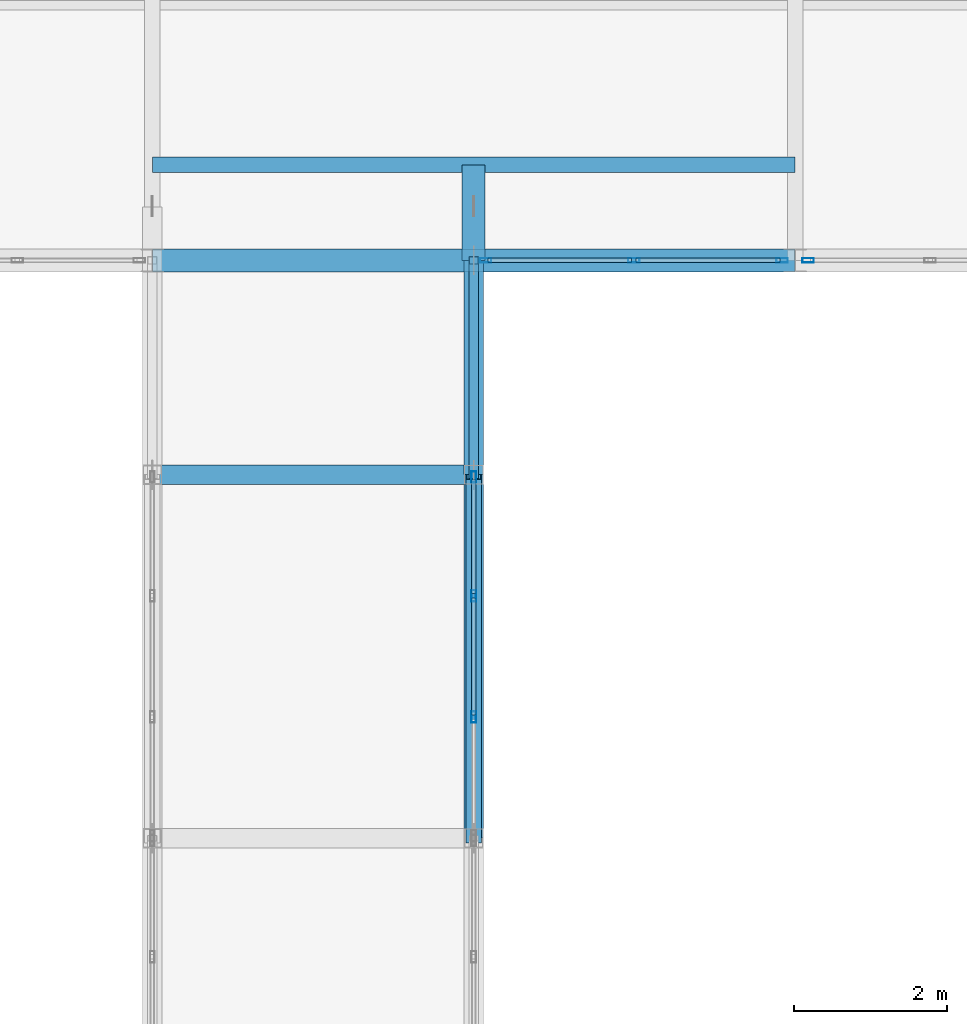
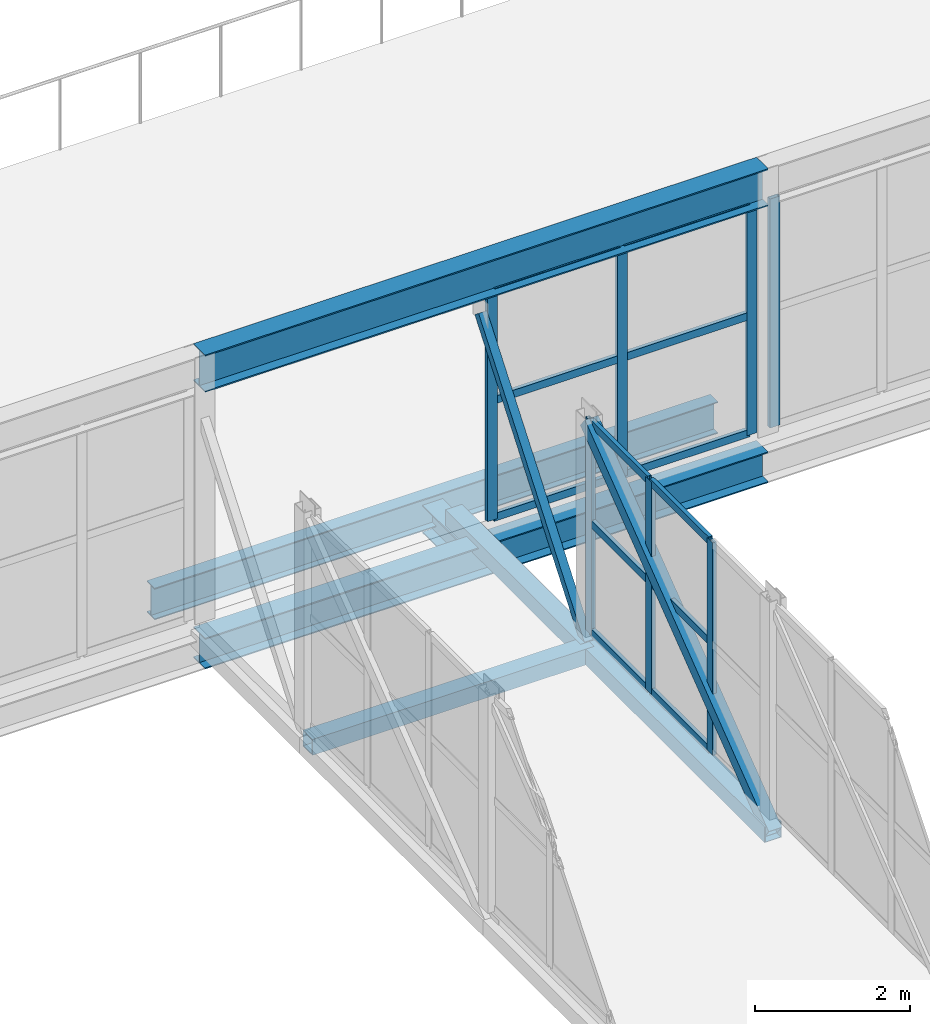
# One storey, part 95 of 218: 24 members, 4 beams, 3 elements without a shape of their own.
"""IFC4 building model written with IfcOpenShell, lengths in metres."""

from ifc_helpers import new_model, si_unit, direction, frame, origin, origin_2d, place, context, subcontext, project, spatial, hollow_rectangle, i_section, extrude, material, material_profile, profile_set, type_object, element, aggregate, save


model = new_model("IFC4")

# Units and contexts
model_context = context("Model", 3, precision=1e-05, world=origin(), true_north=direction((0.0, 1.0)))
body_context = subcontext(model_context, "Body", "Model", "MODEL_VIEW")
ifc_project = project(units=[si_unit("LENGTHUNIT", "METRE"), si_unit("AREAUNIT", "SQUARE_METRE"), si_unit("VOLUMEUNIT", "CUBIC_METRE"), si_unit("PLANEANGLEUNIT", "RADIAN"), si_unit("MASSUNIT", "GRAM", prefix="KILO")], contexts=[model_context])

# Site, building, storey
site_placement = place(None, origin())
site = spatial("IfcSite", under=ifc_project, at=site_placement, CompositionType="ELEMENT")
building_placement = place(site_placement, origin())
building = spatial("IfcBuilding", under=site, at=building_placement, Name="Kazenagashi Tramway Depot", CompositionType="ELEMENT")
storey_placement = place(building_placement, frame((0.0, 0.0, 6.0)))
storey = spatial("IfcBuildingStorey", under=building, at=storey_placement, Name="L02", CompositionType="ELEMENT", Elevation=6.0)

# Members
ifc_material_1 = material(Name="Steel STKR490", Category="steel")
ifc_material_profile_1 = material_profile(ifc_material_1, hollow_rectangle(XDim=0.2, YDim=0.2, WallThickness=0.009, at=origin_2d()), Name="SHS-200x200x9")
ifc_profile_set_1 = profile_set([ifc_material_profile_1], Name="Steel STKR490")
member_type_1 = type_object("IfcMemberType", Name="BR-01", PredefinedType="BRACE", material=ifc_profile_set_1)
member_1_placement = place(storey_placement, frame((91.0, 62.45, -0.305), z_axis=(0.0, 0.79575848843, 0.605614091721), x_axis=(-1.0, 0.0, 0.0)))
element("IfcMember", 1, at=member_1_placement, inside=storey, type_object=member_type_1, Name="Link Bridge Truss BR-01 MEM-1580", PredefinedType="BRACE", context=body_context, shape_type="SweptSolid", body=[
    extrude(hollow_rectangle(XDim=0.2, YDim=0.2, WallThickness=0.009, at=origin_2d()), origin(), (0.0, 0.0, 1.0), 5.969148),
])
ifc_material_2 = material(Name="Steel STKR400", Category="steel")
ifc_material_profile_2 = material_profile(ifc_material_2, hollow_rectangle(XDim=0.125, YDim=0.125, WallThickness=0.006, at=origin_2d()), Name="SHS-125x125x6")
ifc_profile_set_2 = profile_set([ifc_material_profile_2], Name="Steel STKR400")
member_type_2 = type_object("IfcMemberType", Name="BR-05", PredefinedType="BRACE", material=ifc_profile_set_2)
member_2_placement = place(storey_placement, frame((91.0, 67.2, -0.305), z_axis=(0.0, 0.612349614577, 0.790587091677), x_axis=(-1.0, 0.0, 0.0)))
element("IfcMember", 2, at=member_2_placement, inside=storey, type_object=member_type_2, Name="Link Bridge Truss BR-05 MEM-1583", PredefinedType="BRACE", context=body_context, shape_type="SweptSolid", body=[
    extrude(hollow_rectangle(XDim=0.125, YDim=0.125, WallThickness=0.006, at=origin_2d()), origin(), (0.0, 0.0, 1.0), 4.572551),
])

# Beams
ifc_material_3 = material(Name="Steel SN490B", Category="steel")
ifc_material_profile_3 = material_profile(ifc_material_3, i_section(OverallWidth=0.2, OverallDepth=0.5, WebThickness=0.01, FlangeThickness=0.016, at=origin_2d()), Name="H-500x200x10x16")
ifc_profile_set_3 = profile_set([ifc_material_profile_3], Name="Steel SN490B")
beam_type_1 = type_object("IfcBeamType", Name="G-05", PredefinedType="BEAM", material=ifc_profile_set_3)
beam_1_placement = place(storey_placement, frame((86.8, 71.25, -0.515), z_axis=(1.0, 0.0, 0.0), x_axis=(0.0, 1.0, 0.0)))
element("IfcBeam", 3, at=beam_1_placement, inside=storey, type_object=beam_type_1, Name="Beam G-05 BM-2364", PredefinedType="BEAM", context=body_context, shape_type="SweptSolid", body=[
    extrude(i_section(OverallWidth=0.2, OverallDepth=0.5, WebThickness=0.01, FlangeThickness=0.016, at=origin_2d()), origin(), (0.0, 0.0, 1.0), 8.4),
])
ifc_material_profile_4 = material_profile(ifc_material_3, i_section(OverallWidth=0.3, OverallDepth=0.44, WebThickness=0.011, FlangeThickness=0.018, at=origin_2d()), Name="H-440x300x11x18")
ifc_profile_set_4 = profile_set([ifc_material_profile_4], Name="Steel SN490B")
beam_type_2 = type_object("IfcBeamType", Name="G-06", PredefinedType="BEAM", material=ifc_profile_set_4)
beam_2_placement = place(storey_placement, frame((91.0, 70.0, -0.65), z_axis=(0.0, 1.0, 0.0), x_axis=(-1.0, 0.0, 0.0)))
element("IfcBeam", 4, at=beam_2_placement, inside=storey, type_object=beam_type_2, Name="Beam G-06 BM-2365", PredefinedType="BEAM", context=body_context, shape_type="SweptSolid", body=[
    extrude(i_section(OverallWidth=0.3, OverallDepth=0.44, WebThickness=0.011, FlangeThickness=0.018, at=origin_2d()), origin(), (0.0, 0.0, 1.0), 1.25),
])

# Curtain wall, members
ifc_material_4 = material(Name="Anodised Aluminium and Low-E Glazing", Category="aluminium")
curtain_wall_type_1 = type_object("IfcCurtainWallType", Name="CW-14", PredefinedType="USERDEFINED", material=ifc_material_4)
curtain_wall_1_placement = place(storey_placement, origin())
curtain_wall_1 = element("IfcCurtainWall", 5, at=curtain_wall_1_placement, inside=storey, type_object=curtain_wall_type_1, Name="Industrial Glazed Screen CW-14 CW-0029", ObjectType="GLAZED SCREEN", PredefinedType="USERDEFINED")
ifc_material_5 = material(Name="Anodised Aluminium", Category="aluminium")
ifc_material_profile_5 = material_profile(ifc_material_5, hollow_rectangle(XDim=0.06, YDim=0.15, WallThickness=0.004, at=origin_2d()), Name="RHS-150x60x4")
ifc_profile_set_5 = profile_set([ifc_material_profile_5], Name="Anodised Aluminium")
member_type_3 = type_object("IfcMemberType", Name="ML-01", PredefinedType="MULLION", material=ifc_profile_set_5)
member_3_placement = place(storey_placement, frame((91.155, 70.0, 0.0), z_axis=(0.0, 0.0, 1.0), x_axis=(0.0, 1.0, 0.0)))
member_3 = element("IfcMember", 6, at=member_3_placement, type_object=member_type_3, Name="CW-14 mullion 1", PredefinedType="MULLION", context=body_context, shape_type="SweptSolid", body=[
    extrude(hollow_rectangle(XDim=0.06, YDim=0.15, WallThickness=0.004, at=origin_2d()), origin(), (0.0, 0.0, 1.0), 3.612),
])
member_4_placement = place(storey_placement, frame((93.0925, 70.0, 0.0), z_axis=(0.0, 0.0, 1.0), x_axis=(0.0, 1.0, 0.0)))
member_4 = element("IfcMember", 7, at=member_4_placement, type_object=member_type_3, Name="CW-14 mullion 2", PredefinedType="MULLION", context=body_context, shape_type="SweptSolid", body=[
    extrude(hollow_rectangle(XDim=0.06, YDim=0.15, WallThickness=0.004, at=origin_2d()), origin(), (0.0, 0.0, 1.0), 3.612),
])
member_5_placement = place(storey_placement, frame((95.03, 70.0, 0.0), z_axis=(0.0, 0.0, 1.0), x_axis=(0.0, 1.0, 0.0)))
member_5 = element("IfcMember", 8, at=member_5_placement, type_object=member_type_3, Name="CW-14 mullion 3", PredefinedType="MULLION", context=body_context, shape_type="SweptSolid", body=[
    extrude(hollow_rectangle(XDim=0.06, YDim=0.15, WallThickness=0.004, at=origin_2d()), origin(), (0.0, 0.0, 1.0), 3.612),
])

# Curtain wall, member
curtain_wall_type_2 = type_object("IfcCurtainWallType", Name="CW-11", PredefinedType="USERDEFINED", material=ifc_material_4)
curtain_wall_2_placement = place(storey_placement, origin())
curtain_wall_2 = element("IfcCurtainWall", 9, at=curtain_wall_2_placement, inside=storey, type_object=curtain_wall_type_2, Name="Industrial Glazed Screen CW-11 CW-0032", ObjectType="GLAZED SCREEN", PredefinedType="USERDEFINED")
member_6_placement = place(storey_placement, frame((95.37, 70.0, 0.0), z_axis=(0.0, 0.0, 1.0), x_axis=(0.0, 1.0, 0.0)))
member_6 = element("IfcMember", 10, at=member_6_placement, type_object=member_type_3, Name="CW-11 mullion 1", PredefinedType="MULLION", context=body_context, shape_type="SweptSolid", body=[
    extrude(hollow_rectangle(XDim=0.06, YDim=0.15, WallThickness=0.004, at=origin_2d()), origin(), (0.0, 0.0, 1.0), 3.612),
])
aggregate(curtain_wall_2, [member_6])

# Curtain wall, members
curtain_wall_type_3 = type_object("IfcCurtainWallType", Name="CW-29", PredefinedType="USERDEFINED", material=ifc_material_4)
curtain_wall_3_placement = place(storey_placement, origin())
curtain_wall_3 = element("IfcCurtainWall", 11, at=curtain_wall_3_placement, inside=storey, type_object=curtain_wall_type_3, Name="Industrial Glazed Screen CW-29 CW-0156", ObjectType="GLAZED SCREEN", PredefinedType="USERDEFINED")
member_7_placement = place(storey_placement, frame((91.0, 64.033333, 0.0), z_axis=(0.0, 0.0, 1.0), x_axis=(-1.0, 0.0, 0.0)))
member_7 = element("IfcMember", 12, at=member_7_placement, type_object=member_type_3, Name="CW-29 mullion 2", PredefinedType="MULLION", context=body_context, shape_type="SweptSolid", body=[
    extrude(hollow_rectangle(XDim=0.06, YDim=0.15, WallThickness=0.004, at=origin_2d()), origin(), (0.0, 0.0, 1.0), 3.35),
])
member_8_placement = place(storey_placement, frame((91.0, 65.616667, 0.0), z_axis=(0.0, 0.0, 1.0), x_axis=(-1.0, 0.0, 0.0)))
member_8 = element("IfcMember", 13, at=member_8_placement, type_object=member_type_3, Name="CW-29 mullion 3", PredefinedType="MULLION", context=body_context, shape_type="SweptSolid", body=[
    extrude(hollow_rectangle(XDim=0.06, YDim=0.15, WallThickness=0.004, at=origin_2d()), origin(), (0.0, 0.0, 1.0), 3.35),
])
member_9_placement = place(storey_placement, frame((91.0, 67.17, 0.0), z_axis=(0.0, 0.0, 1.0), x_axis=(-1.0, 0.0, 0.0)))
member_9 = element("IfcMember", 14, at=member_9_placement, type_object=member_type_3, Name="CW-29 mullion 4", PredefinedType="MULLION", context=body_context, shape_type="SweptSolid", body=[
    extrude(hollow_rectangle(XDim=0.06, YDim=0.15, WallThickness=0.004, at=origin_2d()), origin(), (0.0, 0.0, 1.0), 3.35),
])

# Beams
ifc_material_profile_6 = material_profile(ifc_material_3, i_section(OverallWidth=0.3, OverallDepth=0.588, WebThickness=0.012, FlangeThickness=0.02, at=origin_2d()), Name="H-588x300x12x20")
ifc_profile_set_6 = profile_set([ifc_material_profile_6], Name="Steel SN490B")
beam_type_3 = type_object("IfcBeamType", Name="SP-01", PredefinedType="SPANDREL", material=ifc_profile_set_6)
beam_3_placement = place(storey_placement, frame((86.8, 70.0, 3.906), z_axis=(1.0, 0.0, 0.0), x_axis=(0.0, 1.0, 0.0)))
element("IfcBeam", 15, at=beam_3_placement, inside=storey, type_object=beam_type_3, Name="Beam SP-01 BM-1849", PredefinedType="SPANDREL", context=body_context, shape_type="SweptSolid", body=[
    extrude(i_section(OverallWidth=0.3, OverallDepth=0.588, WebThickness=0.012, FlangeThickness=0.02, at=origin_2d()), origin(), (0.0, 0.0, 1.0), 8.4),
])
ifc_material_profile_7 = material_profile(ifc_material_3, i_section(OverallWidth=0.3, OverallDepth=0.488, WebThickness=0.011, FlangeThickness=0.018, at=origin_2d()), Name="H-488x300x11x18")
ifc_profile_set_7 = profile_set([ifc_material_profile_7], Name="Steel SN490B")
beam_type_4 = type_object("IfcBeamType", Name="SP-02", PredefinedType="SPANDREL", material=ifc_profile_set_7)
beam_4_placement = place(storey_placement, frame((86.8, 70.0, -0.509), z_axis=(1.0, 0.0, 0.0), x_axis=(0.0, 1.0, 0.0)))
element("IfcBeam", 16, at=beam_4_placement, inside=storey, type_object=beam_type_4, Name="Beam SP-02 BM-1706", PredefinedType="SPANDREL", context=body_context, shape_type="SweptSolid", body=[
    extrude(i_section(OverallWidth=0.3, OverallDepth=0.488, WebThickness=0.011, FlangeThickness=0.018, at=origin_2d()), origin(), (0.0, 0.0, 1.0), 8.4),
])

# Members
ifc_material_6 = material(Name="Weathering Steel SMA490W", Category="steel")
ifc_material_profile_8 = material_profile(ifc_material_6, hollow_rectangle(XDim=0.25, YDim=0.25, WallThickness=0.009, at=origin_2d()), Name="SHS-250x250x9")
ifc_profile_set_8 = profile_set([ifc_material_profile_8], Name="Weathering Steel SMA490W")
member_type_4 = type_object("IfcMemberType", Name="TC-04", PredefinedType="CHORD", material=ifc_profile_set_8)
member_10_placement = place(storey_placement, frame((91.0, 62.45, -0.305), z_axis=(0.0, 1.0, 0.0), x_axis=(-1.0, 0.0, 0.0)))
element("IfcMember", 17, at=member_10_placement, inside=storey, type_object=member_type_4, Name="Link Bridge Truss TC-04 MEM-1578", PredefinedType="CHORD", context=body_context, shape_type="SweptSolid", body=[
    extrude(hollow_rectangle(XDim=0.25, YDim=0.25, WallThickness=0.009, at=origin_2d()), origin(), (0.0, 0.0, 1.0), 4.75),
])
member_11_placement = place(storey_placement, frame((91.0, 67.2, -0.305), z_axis=(0.0, 1.0, 0.0), x_axis=(-1.0, 0.0, 0.0)))
element("IfcMember", 18, at=member_11_placement, inside=storey, type_object=member_type_4, Name="Link Bridge Truss TC-04 MEM-1581", PredefinedType="CHORD", context=body_context, shape_type="SweptSolid", body=[
    extrude(hollow_rectangle(XDim=0.25, YDim=0.25, WallThickness=0.009, at=origin_2d()), origin(), (0.0, 0.0, 1.0), 3.5),
])
member_12_placement = place(storey_placement, frame((86.8, 67.2, -0.305), z_axis=(1.0, 0.0, 0.0), x_axis=(0.0, 1.0, 0.0)))
element("IfcMember", 19, at=member_12_placement, inside=storey, type_object=member_type_4, Name="Link Bridge Truss TC-04 MEM-1588", PredefinedType="CHORD", context=body_context, shape_type="SweptSolid", body=[
    extrude(hollow_rectangle(XDim=0.25, YDim=0.25, WallThickness=0.009, at=origin_2d()), origin(), (0.0, 0.0, 1.0), 4.2),
])

# Member
ifc_material_profile_9 = material_profile(ifc_material_5, hollow_rectangle(XDim=0.06, YDim=0.12, WallThickness=0.004, at=origin_2d()), Name="RHS-120x60x4")
ifc_profile_set_9 = profile_set([ifc_material_profile_9], Name="Anodised Aluminium")
member_type_5 = type_object("IfcMemberType", Name="TR-01", PredefinedType="USERDEFINED", material=ifc_profile_set_9)
member_13_placement = place(storey_placement, frame((91.185, 70.0, 0.03), z_axis=(1.0, 0.0, 0.0), x_axis=(0.0, 1.0, 0.0)))
member_13 = element("IfcMember", 20, at=member_13_placement, type_object=member_type_5, Name="CW-14 transom 1.1", ObjectType="TRANSOM", PredefinedType="USERDEFINED", context=body_context, shape_type="SweptSolid", body=[
    extrude(hollow_rectangle(XDim=0.06, YDim=0.12, WallThickness=0.004, at=origin_2d()), origin(), (0.0, 0.0, 1.0), 1.8775),
])

member_14_placement = place(storey_placement, frame((91.185, 70.0, 1.878), z_axis=(1.0, 0.0, 0.0), x_axis=(0.0, 1.0, 0.0)))
member_14 = element("IfcMember", 21, at=member_14_placement, type_object=member_type_5, Name="CW-14 transom 1.2", ObjectType="TRANSOM", PredefinedType="USERDEFINED", context=body_context, shape_type="SweptSolid", body=[
    extrude(hollow_rectangle(XDim=0.06, YDim=0.12, WallThickness=0.004, at=origin_2d()), origin(), (0.0, 0.0, 1.0), 1.8775),
])

member_15_placement = place(storey_placement, frame((91.185, 70.0, 3.582), z_axis=(1.0, 0.0, 0.0), x_axis=(0.0, 1.0, 0.0)))
member_15 = element("IfcMember", 22, at=member_15_placement, type_object=member_type_5, Name="CW-14 transom 1.3", ObjectType="TRANSOM", PredefinedType="USERDEFINED", context=body_context, shape_type="SweptSolid", body=[
    extrude(hollow_rectangle(XDim=0.06, YDim=0.12, WallThickness=0.004, at=origin_2d()), origin(), (0.0, 0.0, 1.0), 1.8775),
])

member_16_placement = place(storey_placement, frame((93.1225, 70.0, 0.03), z_axis=(1.0, 0.0, 0.0), x_axis=(0.0, 1.0, 0.0)))
member_16 = element("IfcMember", 23, at=member_16_placement, type_object=member_type_5, Name="CW-14 transom 2.1", ObjectType="TRANSOM", PredefinedType="USERDEFINED", context=body_context, shape_type="SweptSolid", body=[
    extrude(hollow_rectangle(XDim=0.06, YDim=0.12, WallThickness=0.004, at=origin_2d()), origin(), (0.0, 0.0, 1.0), 1.8775),
])

member_17_placement = place(storey_placement, frame((93.1225, 70.0, 1.878), z_axis=(1.0, 0.0, 0.0), x_axis=(0.0, 1.0, 0.0)))
member_17 = element("IfcMember", 24, at=member_17_placement, type_object=member_type_5, Name="CW-14 transom 2.2", ObjectType="TRANSOM", PredefinedType="USERDEFINED", context=body_context, shape_type="SweptSolid", body=[
    extrude(hollow_rectangle(XDim=0.06, YDim=0.12, WallThickness=0.004, at=origin_2d()), origin(), (0.0, 0.0, 1.0), 1.8775),
])

member_18_placement = place(storey_placement, frame((93.1225, 70.0, 3.582), z_axis=(1.0, 0.0, 0.0), x_axis=(0.0, 1.0, 0.0)))
member_18 = element("IfcMember", 25, at=member_18_placement, type_object=member_type_5, Name="CW-14 transom 2.3", ObjectType="TRANSOM", PredefinedType="USERDEFINED", context=body_context, shape_type="SweptSolid", body=[
    extrude(hollow_rectangle(XDim=0.06, YDim=0.12, WallThickness=0.004, at=origin_2d()), origin(), (0.0, 0.0, 1.0), 1.8775),
])

aggregate(curtain_wall_1, [member_3, member_4, member_5, member_13, member_14, member_15, member_16, member_17, member_18])

member_19_placement = place(storey_placement, frame((91.0, 64.063333, 0.03), z_axis=(0.0, 1.0, 0.0), x_axis=(-1.0, 0.0, 0.0)))
member_19 = element("IfcMember", 26, at=member_19_placement, type_object=member_type_5, Name="CW-29 transom 2.1", ObjectType="TRANSOM", PredefinedType="USERDEFINED", context=body_context, shape_type="SweptSolid", body=[
    extrude(hollow_rectangle(XDim=0.06, YDim=0.12, WallThickness=0.004, at=origin_2d()), origin(), (0.0, 0.0, 1.0), 1.523334),
])

member_20_placement = place(storey_placement, frame((91.0, 64.063333, 1.742), z_axis=(0.0, 1.0, 0.0), x_axis=(-1.0, 0.0, 0.0)))
member_20 = element("IfcMember", 27, at=member_20_placement, type_object=member_type_5, Name="CW-29 transom 2.2", ObjectType="TRANSOM", PredefinedType="USERDEFINED", context=body_context, shape_type="SweptSolid", body=[
    extrude(hollow_rectangle(XDim=0.06, YDim=0.12, WallThickness=0.004, at=origin_2d()), origin(), (0.0, 0.0, 1.0), 1.523334),
])

member_21_placement = place(storey_placement, frame((91.0, 64.063333, 3.32), z_axis=(0.0, 1.0, 0.0), x_axis=(-1.0, 0.0, 0.0)))
member_21 = element("IfcMember", 28, at=member_21_placement, type_object=member_type_5, Name="CW-29 transom 2.3", ObjectType="TRANSOM", PredefinedType="USERDEFINED", context=body_context, shape_type="SweptSolid", body=[
    extrude(hollow_rectangle(XDim=0.06, YDim=0.12, WallThickness=0.004, at=origin_2d()), origin(), (0.0, 0.0, 1.0), 1.523334),
])

member_22_placement = place(storey_placement, frame((91.0, 65.646667, 0.03), z_axis=(0.0, 1.0, 0.0), x_axis=(-1.0, 0.0, 0.0)))
member_22 = element("IfcMember", 29, at=member_22_placement, type_object=member_type_5, Name="CW-29 transom 3.1", ObjectType="TRANSOM", PredefinedType="USERDEFINED", context=body_context, shape_type="SweptSolid", body=[
    extrude(hollow_rectangle(XDim=0.06, YDim=0.12, WallThickness=0.004, at=origin_2d()), origin(), (0.0, 0.0, 1.0), 1.493333),
])

member_23_placement = place(storey_placement, frame((91.0, 65.646667, 1.742), z_axis=(0.0, 1.0, 0.0), x_axis=(-1.0, 0.0, 0.0)))
member_23 = element("IfcMember", 30, at=member_23_placement, type_object=member_type_5, Name="CW-29 transom 3.2", ObjectType="TRANSOM", PredefinedType="USERDEFINED", context=body_context, shape_type="SweptSolid", body=[
    extrude(hollow_rectangle(XDim=0.06, YDim=0.12, WallThickness=0.004, at=origin_2d()), origin(), (0.0, 0.0, 1.0), 1.493333),
])

member_24_placement = place(storey_placement, frame((91.0, 65.646667, 3.32), z_axis=(0.0, 1.0, 0.0), x_axis=(-1.0, 0.0, 0.0)))
member_24 = element("IfcMember", 31, at=member_24_placement, type_object=member_type_5, Name="CW-29 transom 3.3", ObjectType="TRANSOM", PredefinedType="USERDEFINED", context=body_context, shape_type="SweptSolid", body=[
    extrude(hollow_rectangle(XDim=0.06, YDim=0.12, WallThickness=0.004, at=origin_2d()), origin(), (0.0, 0.0, 1.0), 1.493333),
])

aggregate(curtain_wall_3, [member_7, member_8, member_9, member_19, member_20, member_21, member_22, member_23, member_24])

save(model, "model.ifc")
